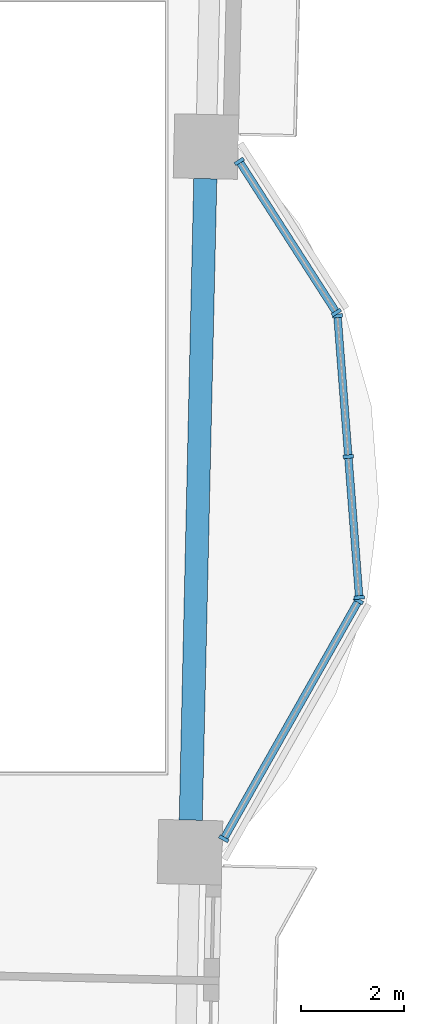
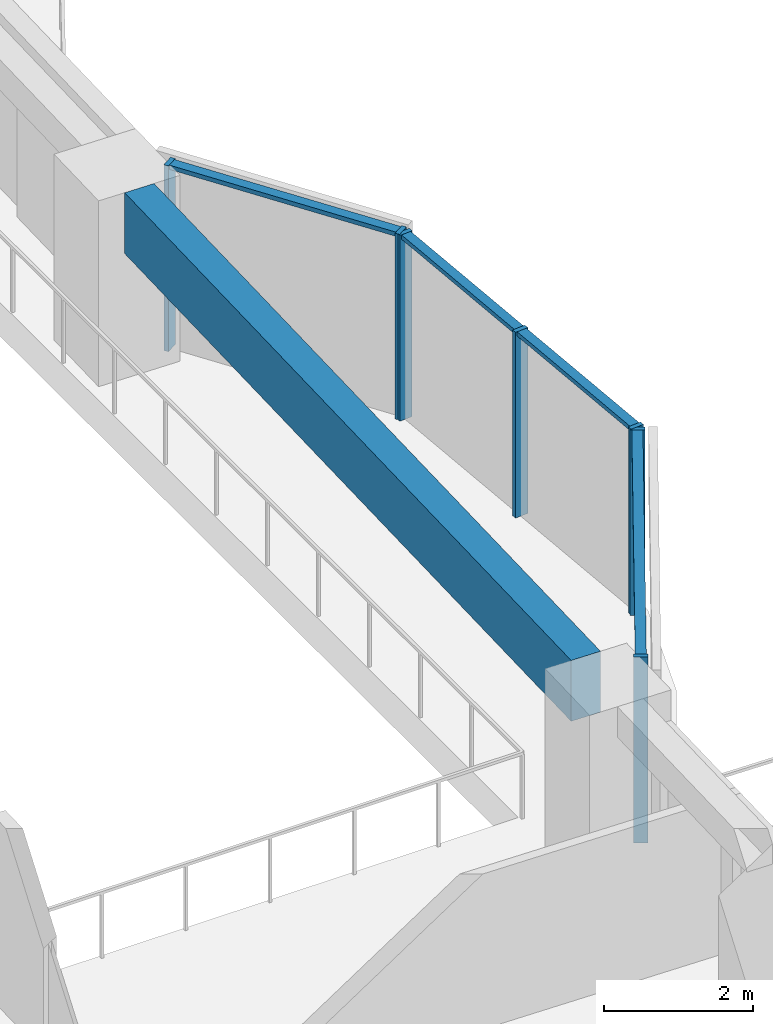
# One storey, part 2 of 14: 11 members, 1 beam, 3 elements without a shape of their own.
"""IFC4 building model written with IfcOpenShell, lengths in metres."""

from ifc_helpers import new_model, si_unit, direction, frame, origin, origin_2d, place, context, subcontext, project, spatial, rectangle, extrude, material, material_profile, profile_set, type_object, element, aggregate, save


model = new_model("IFC4")

# Units and contexts
model_context = context("Model", 3, precision=1e-05, world=origin(), true_north=direction((0.0, 1.0)))
body_context = subcontext(model_context, "Body", "Model", "MODEL_VIEW")
ifc_project = project(units=[si_unit("LENGTHUNIT", "METRE"), si_unit("AREAUNIT", "SQUARE_METRE"), si_unit("VOLUMEUNIT", "CUBIC_METRE"), si_unit("PLANEANGLEUNIT", "RADIAN"), si_unit("MASSUNIT", "GRAM", prefix="KILO")], contexts=[model_context])

# Site, building, storey
site_placement = place(None, origin())
site = spatial("IfcSite", under=ifc_project, at=site_placement, CompositionType="ELEMENT")
building_placement = place(site_placement, origin())
building = spatial("IfcBuilding", under=site, at=building_placement, Name="Mangrove Gate Tower", CompositionType="ELEMENT")
storey_placement = place(building_placement, frame((0.0, 0.0, 167.10009765625)))
storey = spatial("IfcBuildingStorey", under=building, at=storey_placement, Name="L42", CompositionType="ELEMENT", Elevation=167.10009765625)

# Curtain wall, members
ifc_material_1 = material(Name="Aluminium and glass curtain wall", Category="aluminium")
curtain_wall_type = type_object("IfcCurtainWallType", Name="Atrium garden-court glazing wall", PredefinedType="NOTDEFINED", material=ifc_material_1)
curtain_wall_1_placement = place(storey_placement, origin())
curtain_wall_1 = element("IfcCurtainWall", 1, at=curtain_wall_1_placement, inside=storey, type_object=curtain_wall_type, Name="Atrium garden-court glazing E1f1", PredefinedType="NOTDEFINED")
ifc_material_2 = material(Name="Aluminium alloy 6063-T6", Category="aluminium")
ifc_material_profile_1 = material_profile(ifc_material_2, rectangle(XDim=0.070068359375, YDim=0.199951171875, at=origin_2d()))
ifc_profile_set_1 = profile_set([ifc_material_profile_1], Name="Aluminium alloy 6063-T6")
member_type_1 = type_object("IfcMemberType", Name="Atrium garden-court glazing mullion 70x200", PredefinedType="MULLION", material=ifc_profile_set_1)
member_1_placement = place(storey_placement, frame((26.11083984375, -8.806884765625, 0.0), z_axis=(0.0, 0.0, 1.0), x_axis=(0.492564461279, 0.870275962833, 0.0)))
member_1 = element("IfcMember", 2, at=member_1_placement, type_object=member_type_1, Name="CWA mullion 1", PredefinedType="MULLION", context=body_context, shape_type="SweptSolid", body=[
    extrude(rectangle(XDim=0.070068359375, YDim=0.199951171875, at=origin_2d()), origin(), (0.0, 0.0, 1.0), 3.0498046875),
])
member_2_placement = place(storey_placement, frame((28.73486328125, -4.17041015625, 0.0), z_axis=(0.0, 0.0, 1.0), x_axis=(0.492564461279, 0.870275962833, 0.0)))
member_2 = element("IfcMember", 3, at=member_2_placement, type_object=member_type_1, Name="CWA mullion 2", PredefinedType="MULLION", context=body_context, shape_type="SweptSolid", body=[
    extrude(rectangle(XDim=0.070068359375, YDim=0.199951171875, at=origin_2d()), origin(), (0.0, 0.0, 1.0), 3.0498046875),
])

curtain_wall_2_placement = place(storey_placement, origin())
curtain_wall_2 = element("IfcCurtainWall", 4, at=curtain_wall_2_placement, inside=storey, type_object=curtain_wall_type, Name="Atrium garden-court glazing E1f2", PredefinedType="NOTDEFINED")
member_3_placement = place(storey_placement, frame((28.74951171875, -4.105224609375, 0.0), z_axis=(0.0, 0.0, 1.0), x_axis=(-0.077023348403, 0.997029289339, 0.0)))
member_3 = element("IfcMember", 5, at=member_3_placement, type_object=member_type_1, Name="CWA mullion 1", PredefinedType="MULLION", context=body_context, shape_type="SweptSolid", body=[
    extrude(rectangle(XDim=0.070068359375, YDim=0.199951171875, at=origin_2d()), origin(), (0.0, 0.0, 1.0), 3.0498046875),
])
member_4_placement = place(storey_placement, frame((28.53759765625, -1.361572265625, 0.0), z_axis=(0.0, 0.0, 1.0), x_axis=(-0.077023348403, 0.997029289339, 0.0)))
member_4 = element("IfcMember", 6, at=member_4_placement, type_object=member_type_1, Name="CWA mullion 2", PredefinedType="MULLION", context=body_context, shape_type="SweptSolid", body=[
    extrude(rectangle(XDim=0.070068359375, YDim=0.199951171875, at=origin_2d()), origin(), (0.0, 0.0, 1.0), 3.0498046875),
])
member_5_placement = place(storey_placement, frame((28.32568359375, 1.382080078125, 0.0), z_axis=(0.0, 0.0, 1.0), x_axis=(-0.077023348403, 0.997029289339, 0.0)))
member_5 = element("IfcMember", 7, at=member_5_placement, type_object=member_type_1, Name="CWA mullion 3", PredefinedType="MULLION", context=body_context, shape_type="SweptSolid", body=[
    extrude(rectangle(XDim=0.070068359375, YDim=0.199951171875, at=origin_2d()), origin(), (0.0, 0.0, 1.0), 3.0498046875),
])

curtain_wall_3_placement = place(storey_placement, origin())
curtain_wall_3 = element("IfcCurtainWall", 8, at=curtain_wall_3_placement, inside=storey, type_object=curtain_wall_type, Name="Atrium garden-court glazing E1f3", PredefinedType="NOTDEFINED")
member_6_placement = place(storey_placement, frame((28.303955078125, 1.4462890625, 0.0), z_axis=(0.0, 0.0, 1.0), x_axis=(-0.540496322894, 0.841346376315, 0.0)))
member_6 = element("IfcMember", 9, at=member_6_placement, type_object=member_type_1, Name="CWA mullion 1", PredefinedType="MULLION", context=body_context, shape_type="SweptSolid", body=[
    extrude(rectangle(XDim=0.070068359375, YDim=0.199951171875, at=origin_2d()), origin(), (0.0, 0.0, 1.0), 3.0498046875),
])
member_7_placement = place(storey_placement, frame((26.413330078125, 4.389404296875, 0.0), z_axis=(0.0, 0.0, 1.0), x_axis=(-0.540496322894, 0.841346376315, 0.0)))
member_7 = element("IfcMember", 10, at=member_7_placement, type_object=member_type_1, Name="CWA mullion 2", PredefinedType="MULLION", context=body_context, shape_type="SweptSolid", body=[
    extrude(rectangle(XDim=0.070068359375, YDim=0.199951171875, at=origin_2d()), origin(), (0.0, 0.0, 1.0), 3.0498046875),
])

# Member
ifc_material_3 = material(Name="Aluminium alloy 6063-T6", Category="aluminium")
ifc_material_profile_2 = material_profile(ifc_material_3, rectangle(XDim=0.070068359375, YDim=0.14990234375, at=origin_2d()))
ifc_profile_set_2 = profile_set([ifc_material_profile_2], Name="Aluminium alloy 6063-T6")
member_type_2 = type_object("IfcMemberType", Name="Atrium garden-court glazing transom 70x150", PredefinedType="USERDEFINED", material=ifc_profile_set_2)
member_8_placement = place(storey_placement, frame((26.128173828125, -8.7763671875, 3.014892578125), z_axis=(0.4925590689, 0.870279014825, 0.0), x_axis=(0.0, 0.0, 1.0)))
member_8 = element("IfcMember", 11, at=member_8_placement, type_object=member_type_2, Name="CWA transom 1.2", ObjectType="TRANSOM", PredefinedType="USERDEFINED", context=body_context, shape_type="SweptSolid", body=[
    extrude(rectangle(XDim=0.070068359375, YDim=0.14990234375, at=origin_2d()), origin(), (0.0, 0.0, 1.0), 5.25732421875),
])

aggregate(curtain_wall_1, [member_1, member_2, member_8])

member_9_placement = place(storey_placement, frame((28.746826171875, -4.0703125, 3.014892578125), z_axis=(-0.07701672858, 0.997029800718, 0.0), x_axis=(0.0, 0.0, 1.0)))
member_9 = element("IfcMember", 12, at=member_9_placement, type_object=member_type_2, Name="CWA transom 1.2", ObjectType="TRANSOM", PredefinedType="USERDEFINED", context=body_context, shape_type="SweptSolid", body=[
    extrude(rectangle(XDim=0.070068359375, YDim=0.14990234375, at=origin_2d()), origin(), (0.0, 0.0, 1.0), 2.681884765625),
])

member_10_placement = place(storey_placement, frame((28.534912109375, -1.32666015625, 3.014892578125), z_axis=(-0.07701672858, 0.997029800718, 0.0), x_axis=(0.0, 0.0, 1.0)))
member_10 = element("IfcMember", 13, at=member_10_placement, type_object=member_type_2, Name="CWA transom 2.2", ObjectType="TRANSOM", PredefinedType="USERDEFINED", context=body_context, shape_type="SweptSolid", body=[
    extrude(rectangle(XDim=0.070068359375, YDim=0.14990234375, at=origin_2d()), origin(), (0.0, 0.0, 1.0), 2.681884765625),
])

aggregate(curtain_wall_2, [member_3, member_4, member_5, member_9, member_10])

member_11_placement = place(storey_placement, frame((28.28515625, 1.475830078125, 3.014892578125), z_axis=(-0.540501990771, 0.84134273514, 0.0), x_axis=(0.0, 0.0, 1.0)))
member_11 = element("IfcMember", 14, at=member_11_placement, type_object=member_type_2, Name="CWA transom 1.2", ObjectType="TRANSOM", PredefinedType="USERDEFINED", context=body_context, shape_type="SweptSolid", body=[
    extrude(rectangle(XDim=0.070068359375, YDim=0.14990234375, at=origin_2d()), origin(), (0.0, 0.0, 1.0), 3.427978515625),
])

aggregate(curtain_wall_3, [member_6, member_7, member_11])

# Beam
ifc_material_4 = material(Name="Concrete C50/60", Category="concrete")
ifc_material_profile_3 = material_profile(ifc_material_4, rectangle(XDim=0.449951171875, YDim=1.0, at=origin_2d()))
ifc_profile_set_3 = profile_set([ifc_material_profile_3], Name="Concrete C50/60")
beam_type = type_object("IfcBeamType", Name="Edge beam RC 450x1000 C50/60", PredefinedType="BEAM", material=ifc_profile_set_3)
beam_placement = place(storey_placement, frame((25.46728515625, -8.44384765625, 2.5498046875), z_axis=(0.022693013796, 0.999742480404, 0.0), x_axis=(-0.999742480404, 0.022693013796, 0.0)))
element("IfcBeam", 15, at=beam_placement, inside=storey, type_object=beam_type, Name="Edge beam L42 14", PredefinedType="BEAM", context=body_context, shape_type="SweptSolid", body=[
    extrude(rectangle(XDim=0.449951171875, YDim=1.0, at=origin_2d()), origin(), (0.0, 0.0, 1.0), 12.501220703125),
])

save(model, "model.ifc")
